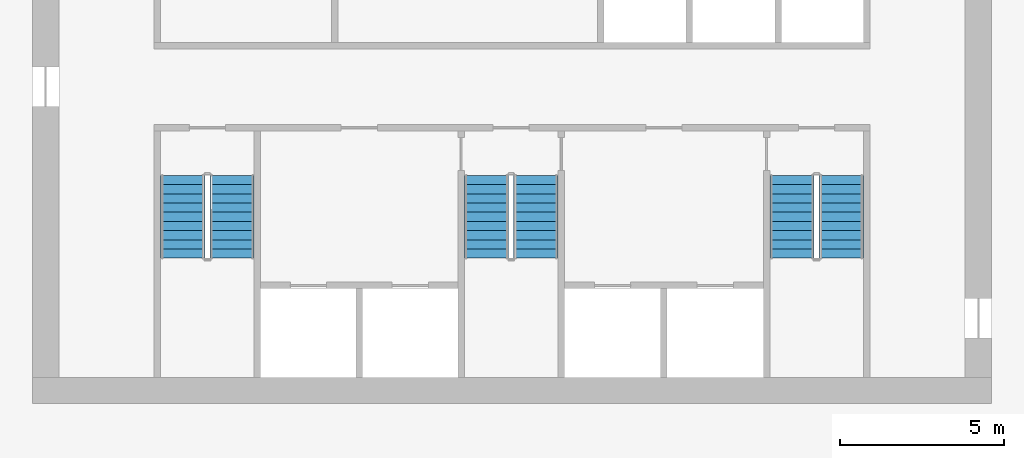
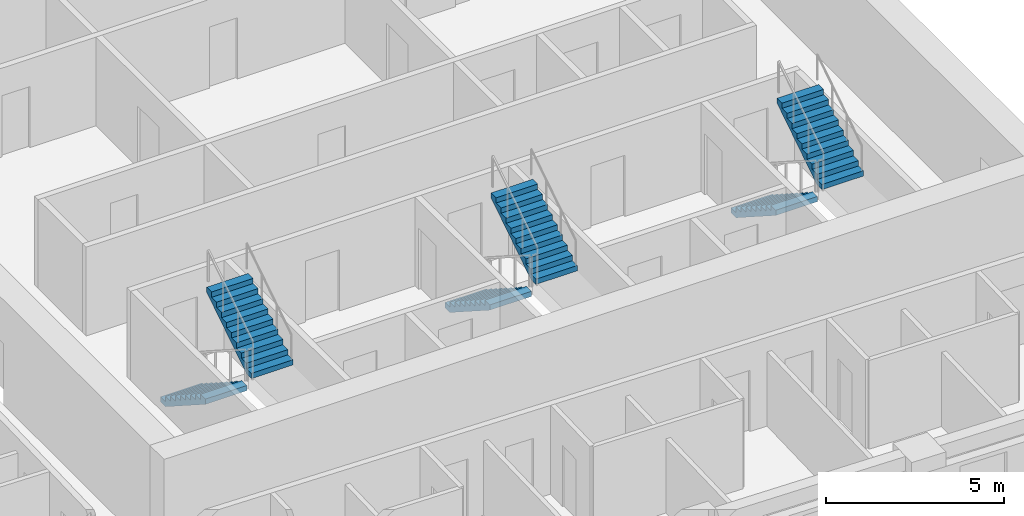
# One storey, part 10 of 14: 6 stair flights, 3 elements without a shape of their own.
"""IFC4 building model written with IfcOpenShell, lengths in metres."""

from ifc_helpers import new_model, si_unit, direction, frame, origin, place, context, subcontext, project, spatial, polyline, outline, extrude, material, type_object, element, aggregate, save


model = new_model("IFC4")

# Units and contexts
model_context = context("Model", 3, precision=1e-05, world=origin(), true_north=direction((0.0, 1.0)))
body_context = subcontext(model_context, "Body", "Model", "MODEL_VIEW")
ifc_project = project(units=[si_unit("LENGTHUNIT", "METRE"), si_unit("AREAUNIT", "SQUARE_METRE"), si_unit("VOLUMEUNIT", "CUBIC_METRE"), si_unit("PLANEANGLEUNIT", "RADIAN"), si_unit("MASSUNIT", "GRAM", prefix="KILO")], contexts=[model_context])

# Site, building, storey
site_placement = place(None, origin())
site = spatial("IfcSite", under=ifc_project, at=site_placement, CompositionType="ELEMENT")
building_placement = place(site_placement, origin())
building = spatial("IfcBuilding", under=site, at=building_placement, Name="Mangrove Gate Tower", CompositionType="ELEMENT")
storey_placement = place(building_placement, frame((0.0, 0.0, 208.699951171875)))
storey = spatial("IfcBuildingStorey", under=building, at=storey_placement, Name="L53", CompositionType="ELEMENT", Elevation=208.699951171875)

# Stair, stair flights
ifc_material_1 = material(Name="Concrete C40/50", Category="concrete")
stair_type = type_object("IfcStairType", Name="Core stair 1350", PredefinedType="HALF_TURN_STAIR", material=ifc_material_1)
stair_1_placement = place(storey_placement, origin())
stair_1 = element("IfcStair", 1, at=stair_1_placement, inside=storey, type_object=stair_type, Name="L53 Stair 1", PredefinedType="HALF_TURN_STAIR")
ifc_material_2 = material(Name="Concrete C40/50", Category="concrete")
stair_flight_type = type_object("IfcStairFlightType", Name="Core stair flight 1350", PredefinedType="STRAIGHT", material=ifc_material_2)
stair_flight_1_placement = place(storey_placement, frame((-10.02490234375, -4.64990234375, 0.0), z_axis=(0.0, 0.0, 1.0), x_axis=(0.0, -1.0, 0.0)))
stair_flight_1 = element("IfcStairFlight", 2, at=stair_flight_1_placement, type_object=stair_flight_type, Name="ST1 flight 1", NumberOfRisers=10, NumberOfTreads=9, PredefinedType="STRAIGHT", RiserHeight=0.18, TreadLength=0.28, context=body_context, shape_type="SweptSolid", body=[
    extrude(outline(polyline([(0.0, 0.0), (0.0, 0.179931640625), (0.280029296875, 0.179931640625), (0.280029296875, 0.360107421875), (0.56005859375, 0.360107421875), (0.56005859375, 0.5400390625), (0.840087890625, 0.5400390625), (0.840087890625, 0.719970703125), (1.1201171875, 0.719970703125), (1.1201171875, 0.89990234375), (1.39990234375, 0.89990234375), (1.39990234375, 1.080078125), (1.679931640625, 1.080078125), (1.679931640625, 1.260009765625), (1.9599609375, 1.260009765625), (1.9599609375, 1.43994140625), (2.239990234375, 1.43994140625), (2.239990234375, 1.6201171875), (2.52001953125, 1.6201171875), (2.52001953125, 1.800048828125), (2.52001953125, 1.44189453125), (0.277099609375, 0.0), (0.0, 0.0)])), frame((0.0, 0.675048828125, 0.0), z_axis=(0.0, -1.0, 0.0), x_axis=(1.0, 0.0, 0.0)), (0.0, 0.0, 1.0), 1.35009765625),
])
stair_flight_2_placement = place(storey_placement, frame((-8.52490234375, -7.169921875, 1.800048828125), z_axis=(0.0, 0.0, 1.0), x_axis=(0.0, 1.0, 0.0)))
stair_flight_2 = element("IfcStairFlight", 3, at=stair_flight_2_placement, type_object=stair_flight_type, Name="ST1 flight 2", NumberOfRisers=10, NumberOfTreads=9, PredefinedType="STRAIGHT", RiserHeight=0.18, TreadLength=0.28, context=body_context, shape_type="SweptSolid", body=[
    extrude(outline(polyline([(0.0, 0.0), (0.0, 0.179931640625), (0.280029296875, 0.179931640625), (0.280029296875, 0.360107421875), (0.56005859375, 0.360107421875), (0.56005859375, 0.5400390625), (0.840087890625, 0.5400390625), (0.840087890625, 0.719970703125), (1.1201171875, 0.719970703125), (1.1201171875, 0.89990234375), (1.39990234375, 0.89990234375), (1.39990234375, 1.080078125), (1.679931640625, 1.080078125), (1.679931640625, 1.260009765625), (1.9599609375, 1.260009765625), (1.9599609375, 1.43994140625), (2.239990234375, 1.43994140625), (2.239990234375, 1.6201171875), (2.52001953125, 1.6201171875), (2.52001953125, 1.800048828125), (2.52001953125, 1.44189453125), (0.277099609375, 0.0), (0.0, 0.0)])), frame((0.0, 0.675048828125, 0.0), z_axis=(0.0, -1.0, 0.0), x_axis=(1.0, 0.0, 0.0)), (0.0, 0.0, 1.0), 1.35009765625),
])
aggregate(stair_1, [stair_flight_1, stair_flight_2])

stair_2_placement = place(storey_placement, origin())
stair_2 = element("IfcStair", 4, at=stair_2_placement, inside=storey, type_object=stair_type, Name="L53 Stair 2", PredefinedType="HALF_TURN_STAIR")
stair_flight_3_placement = place(storey_placement, frame((-0.77490234375, -4.64990234375, 0.0), z_axis=(0.0, 0.0, 1.0), x_axis=(0.0, -1.0, 0.0)))
stair_flight_3 = element("IfcStairFlight", 5, at=stair_flight_3_placement, type_object=stair_flight_type, Name="ST2 flight 1", NumberOfRisers=10, NumberOfTreads=9, PredefinedType="STRAIGHT", RiserHeight=0.18, TreadLength=0.28, context=body_context, shape_type="SweptSolid", body=[
    extrude(outline(polyline([(0.0, 0.0), (0.0, 0.179931640625), (0.280029296875, 0.179931640625), (0.280029296875, 0.360107421875), (0.56005859375, 0.360107421875), (0.56005859375, 0.5400390625), (0.840087890625, 0.5400390625), (0.840087890625, 0.719970703125), (1.1201171875, 0.719970703125), (1.1201171875, 0.89990234375), (1.39990234375, 0.89990234375), (1.39990234375, 1.080078125), (1.679931640625, 1.080078125), (1.679931640625, 1.260009765625), (1.9599609375, 1.260009765625), (1.9599609375, 1.43994140625), (2.239990234375, 1.43994140625), (2.239990234375, 1.6201171875), (2.52001953125, 1.6201171875), (2.52001953125, 1.800048828125), (2.52001953125, 1.44189453125), (0.277099609375, 0.0), (0.0, 0.0)])), frame((0.0, 0.675048828125, 0.0), z_axis=(0.0, -1.0, 0.0), x_axis=(1.0, 0.0, 0.0)), (0.0, 0.0, 1.0), 1.35009765625),
])
stair_flight_4_placement = place(storey_placement, frame((0.72509765625, -7.169921875, 1.800048828125), z_axis=(0.0, 0.0, 1.0), x_axis=(0.0, 1.0, 0.0)))
stair_flight_4 = element("IfcStairFlight", 6, at=stair_flight_4_placement, type_object=stair_flight_type, Name="ST2 flight 2", NumberOfRisers=10, NumberOfTreads=9, PredefinedType="STRAIGHT", RiserHeight=0.18, TreadLength=0.28, context=body_context, shape_type="SweptSolid", body=[
    extrude(outline(polyline([(0.0, 0.0), (0.0, 0.179931640625), (0.280029296875, 0.179931640625), (0.280029296875, 0.360107421875), (0.56005859375, 0.360107421875), (0.56005859375, 0.5400390625), (0.840087890625, 0.5400390625), (0.840087890625, 0.719970703125), (1.1201171875, 0.719970703125), (1.1201171875, 0.89990234375), (1.39990234375, 0.89990234375), (1.39990234375, 1.080078125), (1.679931640625, 1.080078125), (1.679931640625, 1.260009765625), (1.9599609375, 1.260009765625), (1.9599609375, 1.43994140625), (2.239990234375, 1.43994140625), (2.239990234375, 1.6201171875), (2.52001953125, 1.6201171875), (2.52001953125, 1.800048828125), (2.52001953125, 1.44189453125), (0.277099609375, 0.0), (0.0, 0.0)])), frame((0.0, 0.675048828125, 0.0), z_axis=(0.0, -1.0, 0.0), x_axis=(1.0, 0.0, 0.0)), (0.0, 0.0, 1.0), 1.35009765625),
])
aggregate(stair_2, [stair_flight_3, stair_flight_4])

stair_3_placement = place(storey_placement, origin())
stair_3 = element("IfcStair", 7, at=stair_3_placement, inside=storey, type_object=stair_type, Name="L53 Stair 3", PredefinedType="HALF_TURN_STAIR")
stair_flight_5_placement = place(storey_placement, frame((8.52490234375, -4.64990234375, 0.0), z_axis=(0.0, 0.0, 1.0), x_axis=(0.0, -1.0, 0.0)))
stair_flight_5 = element("IfcStairFlight", 8, at=stair_flight_5_placement, type_object=stair_flight_type, Name="ST3 flight 1", NumberOfRisers=10, NumberOfTreads=9, PredefinedType="STRAIGHT", RiserHeight=0.18, TreadLength=0.28, context=body_context, shape_type="SweptSolid", body=[
    extrude(outline(polyline([(0.0, 0.0), (0.0, 0.179931640625), (0.280029296875, 0.179931640625), (0.280029296875, 0.360107421875), (0.56005859375, 0.360107421875), (0.56005859375, 0.5400390625), (0.840087890625, 0.5400390625), (0.840087890625, 0.719970703125), (1.1201171875, 0.719970703125), (1.1201171875, 0.89990234375), (1.39990234375, 0.89990234375), (1.39990234375, 1.080078125), (1.679931640625, 1.080078125), (1.679931640625, 1.260009765625), (1.9599609375, 1.260009765625), (1.9599609375, 1.43994140625), (2.239990234375, 1.43994140625), (2.239990234375, 1.6201171875), (2.52001953125, 1.6201171875), (2.52001953125, 1.800048828125), (2.52001953125, 1.44189453125), (0.277099609375, 0.0), (0.0, 0.0)])), frame((0.0, 0.675048828125, 0.0), z_axis=(0.0, -1.0, 0.0), x_axis=(1.0, 0.0, 0.0)), (0.0, 0.0, 1.0), 1.35009765625),
])
stair_flight_6_placement = place(storey_placement, frame((10.02490234375, -7.169921875, 1.800048828125), z_axis=(0.0, 0.0, 1.0), x_axis=(0.0, 1.0, 0.0)))
stair_flight_6 = element("IfcStairFlight", 9, at=stair_flight_6_placement, type_object=stair_flight_type, Name="ST3 flight 2", NumberOfRisers=10, NumberOfTreads=9, PredefinedType="STRAIGHT", RiserHeight=0.18, TreadLength=0.28, context=body_context, shape_type="SweptSolid", body=[
    extrude(outline(polyline([(0.0, 0.0), (0.0, 0.179931640625), (0.280029296875, 0.179931640625), (0.280029296875, 0.360107421875), (0.56005859375, 0.360107421875), (0.56005859375, 0.5400390625), (0.840087890625, 0.5400390625), (0.840087890625, 0.719970703125), (1.1201171875, 0.719970703125), (1.1201171875, 0.89990234375), (1.39990234375, 0.89990234375), (1.39990234375, 1.080078125), (1.679931640625, 1.080078125), (1.679931640625, 1.260009765625), (1.9599609375, 1.260009765625), (1.9599609375, 1.43994140625), (2.239990234375, 1.43994140625), (2.239990234375, 1.6201171875), (2.52001953125, 1.6201171875), (2.52001953125, 1.800048828125), (2.52001953125, 1.44189453125), (0.277099609375, 0.0), (0.0, 0.0)])), frame((0.0, 0.675048828125, 0.0), z_axis=(0.0, -1.0, 0.0), x_axis=(1.0, 0.0, 0.0)), (0.0, 0.0, 1.0), 1.35009765625),
])
aggregate(stair_3, [stair_flight_5, stair_flight_6])

save(model, "model.ifc")
